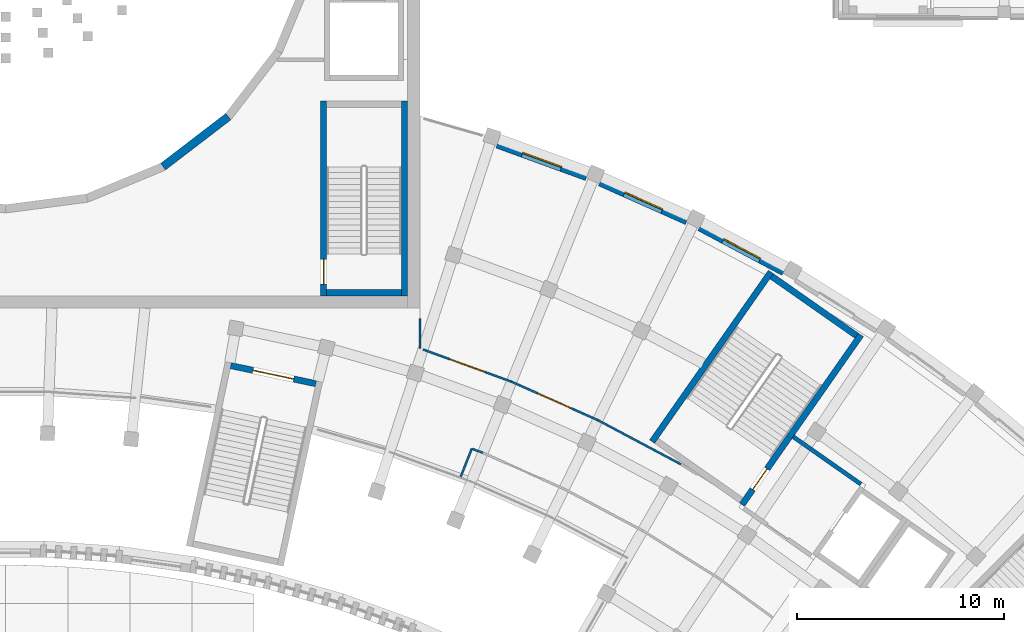
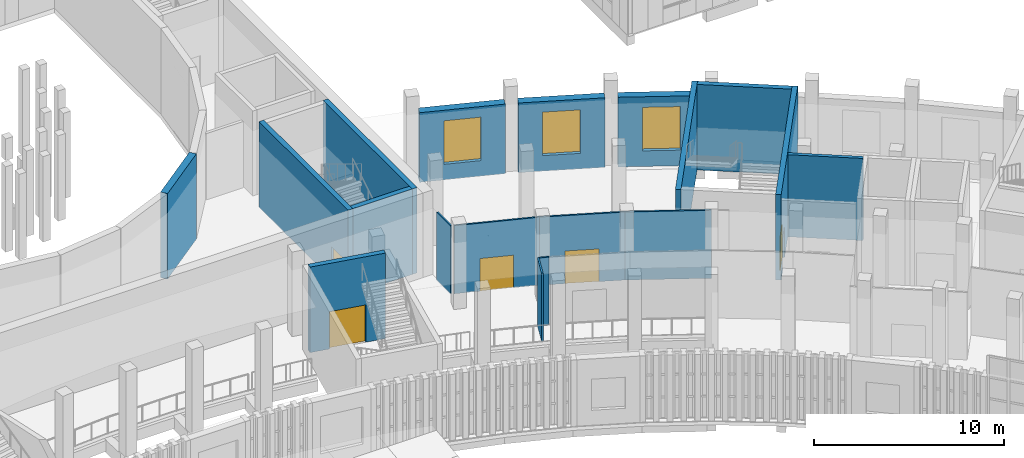
# One storey, part 56 of 112: 18 walls, 5 doors, 3 windows, 8 openings.
"""IFC4 building model written with IfcOpenShell, lengths in metres."""

import ifcopenshell
import ifcopenshell.guid

model = None  # the IFC model being written
_history = None  # IfcOwnerHistory: only IFC2X3 demands one
_inside = {}  # id of a spatial element -> (the spatial element, [elements in it])
_under = {}  # id of a project, library or spatial element -> (it, [spatial elements below it])
_declared = {}  # id of a project -> (the project, [libraries it declares])
_typed = {}  # id of a type object -> (the type object, [elements of that type])
_made_of = {}  # id of a material, layer set ... -> (it, [elements and type objects made of it])


def new_model(schema):
    """Start an empty IFC model of exactly this schema.

    Asked for "IFC4X3", IfcOpenShell would pick the latest addendum, in which some entities
    have other attributes; the version numbers below select the first issue.
    IFC2X3 requires an IfcOwnerHistory on every rooted entity: one is made here for all.
    """
    global model, _history
    if schema == "IFC4X3":
        model = ifcopenshell.file(schema_version=(4, 3, 0, 0))
    else:
        model = ifcopenshell.file(schema=schema)
    _inside.clear()
    _under.clear()
    _declared.clear()
    _typed.clear()
    _made_of.clear()
    _history = None
    if model.schema == "IFC2X3":
        org = make("IfcOrganization", Name="unknown")
        user = make(
            "IfcPersonAndOrganization",
            ThePerson=make("IfcPerson", FamilyName="unknown"),
            TheOrganization=org,
        )
        app = make(
            "IfcApplication",
            ApplicationDeveloper=org,
            Version="unknown",
            ApplicationFullName="unknown",
            ApplicationIdentifier="unknown",
        )
        _history = make(
            "IfcOwnerHistory",
            OwningUser=user,
            OwningApplication=app,
            ChangeAction="ADDED",
            CreationDate=0,
        )
    return model


def make(cls, **values):
    """One entity of the class cls with the attributes given. An attribute that is None is left unset."""
    return model.create_entity(
        cls, **{name: value for name, value in values.items() if value is not None}
    )


def rooted(cls, **values):
    """An entity with a GlobalId (a new one), such as an element, a storey or a relation."""
    return make(cls, GlobalId=ifcopenshell.guid.new(), OwnerHistory=_history, **values)


def si_unit(unit_type, name, prefix=None):
    """IfcSIUnit, for example si_unit("LENGTHUNIT", "METRE", prefix="MILLI")."""
    return make("IfcSIUnit", UnitType=unit_type, Prefix=prefix, Name=name)


def assignment(units):
    """IfcUnitAssignment: the units of a project."""
    return None if units is None else make("IfcUnitAssignment", Units=units)


def point(xyz):
    """IfcCartesianPoint."""
    return None if xyz is None else make("IfcCartesianPoint", Coordinates=xyz)


def direction(xyz):
    """IfcDirection."""
    return None if xyz is None else make("IfcDirection", DirectionRatios=xyz)


def frame(location, z_axis=None, x_axis=None):
    """IfcAxis2Placement3D, a coordinate frame: its origin and axes. An axis left out is left unset."""
    return make(
        "IfcAxis2Placement3D",
        Location=point(location),
        Axis=direction(z_axis),
        RefDirection=direction(x_axis),
    )


def frame_2d(location, x_axis=None):
    """IfcAxis2Placement2D, a coordinate frame in the plane: its origin and x axis."""
    return make(
        "IfcAxis2Placement2D", Location=point(location), RefDirection=direction(x_axis)
    )


def origin():
    """The frame at (0, 0, 0) with its axes left unset."""
    return frame((0.0, 0.0, 0.0))


def place(relative_to, where):
    """IfcLocalPlacement: puts the frame where relative to a parent placement (None: the world)."""
    return make(
        "IfcLocalPlacement", PlacementRelTo=relative_to, RelativePlacement=where
    )


def context(
    kind, dimensions, precision=None, world=None, true_north=None, identifier=None
):
    """IfcGeometricRepresentationContext, for example the 3D "Model" context."""
    return make(
        "IfcGeometricRepresentationContext",
        ContextIdentifier=identifier,
        ContextType=kind,
        CoordinateSpaceDimension=dimensions,
        Precision=precision,
        WorldCoordinateSystem=world,
        TrueNorth=true_north,
    )


def subcontext(parent, identifier, kind, view, scale=None):
    """IfcGeometricRepresentationSubContext, for example "Body" below "Model"."""
    return make(
        "IfcGeometricRepresentationSubContext",
        ContextIdentifier=identifier,
        ContextType=kind,
        ParentContext=parent,
        TargetScale=scale,
        TargetView=view,
    )


def project(units=None, contexts=None):
    """IfcProject with its units and contexts."""
    return rooted(
        "IfcProject",
        Name="project",
        RepresentationContexts=contexts,
        UnitsInContext=assignment(units),
    )


def spatial(cls, under=None, at=None, **own):
    """A site, building, storey or space (cls), placed at a placement, below another one or the project."""
    s = rooted(cls, ObjectPlacement=at, **own)
    if under is not None:
        _under.setdefault(under.id(), (under, []))[1].append(s)
    return s


def profile(cls, at=None, kind="AREA", **sizes):
    """A parametric profile (cls). Its sizes go by their IFC names, for example OverallWidth=200.0."""
    return make(cls, ProfileType=kind, Position=at, **sizes)


def rectangle(**sizes):
    """IfcRectangleProfileDef."""
    return profile("IfcRectangleProfileDef", **sizes)


def extrude(swept, where, along, depth):
    """IfcExtrudedAreaSolid: the profile swept, set in the frame where, extruded along a direction by depth."""
    return make(
        "IfcExtrudedAreaSolid",
        SweptArea=swept,
        Position=where,
        ExtrudedDirection=direction(along),
        Depth=depth,
    )


def shape(context_of_items, identifier, shape_type, items):
    """IfcShapeRepresentation: the items that make up one representation, for example the "Body"."""
    return make(
        "IfcShapeRepresentation",
        ContextOfItems=context_of_items,
        RepresentationIdentifier=identifier,
        RepresentationType=shape_type,
        Items=items,
    )


def material(Name=None, Category=None):
    """IfcMaterial."""
    return make("IfcMaterial", Name=Name, Category=Category)


def layer(
    of_material, thickness, ventilated=None, Name=None, Category=None, Priority=None
):
    """IfcMaterialLayer: one layer of a wall or slab, of a material (None: an air gap)."""
    return make(
        "IfcMaterialLayer",
        Material=of_material,
        LayerThickness=thickness,
        IsVentilated=ventilated,
        Name=Name,
        Category=Category,
        Priority=Priority,
    )


def layer_set(layers, Name=None):
    """IfcMaterialLayerSet."""
    return make("IfcMaterialLayerSet", MaterialLayers=layers, LayerSetName=Name)


def made_of(thing, what):
    """Note that an element or type object is made of a material, layer set ...; save() writes the relation."""
    if what is not None:
        _made_of.setdefault(what.id(), (what, []))[1].append(thing)
    return thing


def type_object(cls, material=None, **own):
    """A type object (cls), such as IfcWallType, which elements share."""
    return made_of(rooted(cls, **own), material)


def element(
    cls,
    number,
    at=None,
    inside=None,
    cuts=None,
    type_object=None,
    material=None,
    context=None,
    identifier="Body",
    shape_type=None,
    held_by="IfcProductDefinitionShape",
    body=None,
    shapes=None,
    **own,
):
    """One element of the class cls, such as IfcWall. Its Tag is "e" and its number.

    at: its placement. inside: the storey or other place that contains it. cuts: it is an
    opening in that element (IfcRelVoidsElement). A single representation is given by context,
    identifier, shape_type and body (its items); several are given by shapes. held_by: the class
    of the entity that holds the representations. save() writes the other relations.
    """
    e = rooted(cls, Tag="e%d" % number, ObjectPlacement=at, **own)
    if body is not None:
        shapes = [shape(context, identifier, shape_type, body)]
    if shapes is not None:
        e.Representation = make(held_by, Representations=shapes)
    if inside is not None:
        _inside.setdefault(inside.id(), (inside, []))[1].append(e)
    if cuts is not None:
        rooted(
            "IfcRelVoidsElement", RelatingBuildingElement=cuts, RelatedOpeningElement=e
        )
    if type_object is not None:
        _typed.setdefault(type_object.id(), (type_object, []))[1].append(e)
    return made_of(e, material)


def fill(opening, filler):
    """IfcRelFillsElement: the door or window that sits in an opening."""
    return rooted(
        "IfcRelFillsElement",
        RelatingOpeningElement=opening,
        RelatedBuildingElement=filler,
    )


def aggregate(whole, parts):
    """IfcRelAggregates: a whole, such as a stair, and the parts it consists of."""
    return rooted("IfcRelAggregates", RelatingObject=whole, RelatedObjects=parts)


def save(model, path):
    """Write the relations noted so far, then the file.

    IfcRelAggregates (storeys below a building ...), IfcRelContainedInSpatialStructure (elements
    in a storey), IfcRelDefinesByType, IfcRelAssociatesMaterial and IfcRelDeclares: one each for
    every whole, place, type object, material and project.
    """
    for whole, parts in _under.values():
        aggregate(whole, parts)
    for where, things in _inside.values():
        rooted(
            "IfcRelContainedInSpatialStructure",
            RelatedElements=things,
            RelatingStructure=where,
        )
    for kind, things in _typed.values():
        rooted("IfcRelDefinesByType", RelatedObjects=things, RelatingType=kind)
    for what, things in _made_of.values():
        rooted("IfcRelAssociatesMaterial", RelatedObjects=things, RelatingMaterial=what)
    for by, libraries in _declared.values():
        rooted("IfcRelDeclares", RelatingContext=by, RelatedDefinitions=libraries)
    model.write(path)


model = new_model("IFC4")

# Units and contexts
model_context = context("Model", 3, precision=1e-05, world=origin(), true_north=direction((0.0, 1.0)))
body_context = subcontext(model_context, "Body", "Model", "MODEL_VIEW")
ifc_project = project(units=[si_unit("LENGTHUNIT", "METRE"), si_unit("AREAUNIT", "SQUARE_METRE"), si_unit("VOLUMEUNIT", "CUBIC_METRE"), si_unit("PLANEANGLEUNIT", "RADIAN"), si_unit("MASSUNIT", "GRAM", prefix="KILO")], contexts=[model_context])

# Site, building, storey
site_placement = place(None, origin())
site = spatial("IfcSite", under=ifc_project, at=site_placement, CompositionType="ELEMENT")
building_placement = place(site_placement, origin())
building = spatial("IfcBuilding", under=site, at=building_placement, Name="Lunette Opera House", CompositionType="ELEMENT")
storey_placement = place(building_placement, frame((0.0, 0.0, 6.0)))
storey = spatial("IfcBuildingStorey", under=building, at=storey_placement, Name="L01", CompositionType="ELEMENT", Elevation=6.0)

# Wall, opening, window
ifc_material_1 = material(Name="Clinker brick", Category="masonry")
ifc_layer_1 = layer(ifc_material_1, 0.449951171875)
ifc_layer_set_1 = layer_set([ifc_layer_1], Name="Clinker brick")
wall_type_1 = type_object("IfcWallType", Name="ARM RAIN SCREEN WALL 450", PredefinedType="SOLIDWALL", material=ifc_layer_set_1)
wall_1_placement = place(storey_placement, frame((119.7451171875, 71.946044921875, 0.0), z_axis=(0.0, 0.0, 1.0), x_axis=(0.939711059344, -0.341969479554, 0.0)))
wall_1 = element("IfcWall", 1, at=wall_1_placement, inside=storey, type_object=wall_type_1, Name="Arm Rain Screen Wall 450 BW-CE01 L01", PredefinedType="SOLIDWALL", context=body_context, shape_type="SweptSolid", body=[
    extrude(rectangle(XDim=4.58837890625, YDim=0.449951171875, at=frame_2d((2.294189453125, 0.0))), origin(), (0.0, 0.0, 1.0), 4.47998046875),
])
opening_1_placement = place(wall_1_placement, frame((1.2939453125, 0.0, 1.0)))
opening_1 = element("IfcOpeningElement", 2, at=opening_1_placement, cuts=wall_1, Name="Opening FC-N2143", PredefinedType="OPENING", context=body_context, shape_type="SweptSolid", body=[
    extrude(rectangle(XDim=2.0, YDim=2.800048828125, at=frame_2d((1.0, 1.39990234375))), frame((0.0, 0.237060546875, 0.0), z_axis=(0.0, -1.0, 0.0), x_axis=(1.0, 0.0, 0.0)), (0.0, 0.0, 1.0), 0.473876953125),
])
ifc_material_2 = material(Name="Aluminium", Category="aluminium")
window_type = type_object("IfcWindowType", Name="ARM WINDOW 2000 X 2800", PartitioningType="DOUBLE_PANEL_VERTICAL", PredefinedType="WINDOW", material=ifc_material_2)
window_1_placement = place(opening_1_placement, origin())
window_1 = element("IfcWindow", 3, at=window_1_placement, inside=storey, type_object=window_type, Name="Arm Window 2000 X 2800 BW-CE01 L01", OverallHeight=2.800048828125, OverallWidth=2.0, PartitioningType="DOUBLE_PANEL_VERTICAL", PredefinedType="WINDOW", context=body_context, shape_type="SweptSolid", body=[
    extrude(rectangle(XDim=2.0, YDim=2.800048828125, at=frame_2d((1.0, 1.39990234375))), frame((0.0, 0.030029296875, 0.0), z_axis=(0.0, -1.0, 0.0), x_axis=(1.0, 0.0, 0.0)), (0.0, 0.0, 1.0), 0.06005859375),
])
fill(opening_1, window_1)

wall_2_placement = place(storey_placement, frame((124.7060546875, 70.114990234375, 0.0), z_axis=(0.0, 0.0, 1.0), x_axis=(0.91349754212, -0.406844246045, 0.0)))
wall_2 = element("IfcWall", 4, at=wall_2_placement, inside=storey, type_object=wall_type_1, Name="Arm Rain Screen Wall 450 BW-CE02 L01", PredefinedType="SOLIDWALL", context=body_context, shape_type="SweptSolid", body=[
    extrude(rectangle(XDim=4.5888671875, YDim=0.449951171875, at=frame_2d((2.29443359375, 0.0))), origin(), (0.0, 0.0, 1.0), 4.47998046875),
])
opening_2_placement = place(wall_2_placement, frame((1.294921875, 0.0, 1.0)))
opening_2 = element("IfcOpeningElement", 5, at=opening_2_placement, cuts=wall_2, Name="Opening FC-N2146", PredefinedType="OPENING", context=body_context, shape_type="SweptSolid", body=[
    extrude(rectangle(XDim=2.0, YDim=2.800048828125, at=frame_2d((1.0, 1.39990234375))), frame((0.0, 0.237060546875, 0.0), z_axis=(0.0, -1.0, 0.0), x_axis=(1.0, 0.0, 0.0)), (0.0, 0.0, 1.0), 0.473876953125),
])
window_2_placement = place(opening_2_placement, origin())
window_2 = element("IfcWindow", 6, at=window_2_placement, inside=storey, type_object=window_type, Name="Arm Window 2000 X 2800 BW-CE02 L01", OverallHeight=2.800048828125, OverallWidth=2.0, PartitioningType="DOUBLE_PANEL_VERTICAL", PredefinedType="WINDOW", context=body_context, shape_type="SweptSolid", body=[
    extrude(rectangle(XDim=2.0, YDim=2.800048828125, at=frame_2d((1.0, 1.39990234375))), frame((0.0, 0.030029296875, 0.0), z_axis=(0.0, -1.0, 0.0), x_axis=(1.0, 0.0, 0.0)), (0.0, 0.0, 1.0), 0.06005859375),
])
fill(opening_2, window_2)

wall_3_placement = place(storey_placement, frame((129.527099609375, 67.94189453125, 0.0), z_axis=(0.0, 0.0, 1.0), x_axis=(0.882920720389, -0.469522099063, 0.0)))
wall_3 = element("IfcWall", 7, at=wall_3_placement, inside=storey, type_object=wall_type_1, Name="Arm Rain Screen Wall 450 BW-CE03 L01", PredefinedType="SOLIDWALL", context=body_context, shape_type="SweptSolid", body=[
    extrude(rectangle(XDim=4.58935546875, YDim=0.449951171875, at=frame_2d((2.294677734375, 0.0))), origin(), (0.0, 0.0, 1.0), 4.47998046875),
])
opening_3_placement = place(wall_3_placement, frame((1.294921875, 0.0, 1.0)))
opening_3 = element("IfcOpeningElement", 8, at=opening_3_placement, cuts=wall_3, Name="Opening FC-N2150", PredefinedType="OPENING", context=body_context, shape_type="SweptSolid", body=[
    extrude(rectangle(XDim=2.0, YDim=2.800048828125, at=frame_2d((1.0, 1.39990234375))), frame((0.0, 0.237060546875, 0.0), z_axis=(0.0, -1.0, 0.0), x_axis=(1.0, 0.0, 0.0)), (0.0, 0.0, 1.0), 0.473876953125),
])
window_3_placement = place(opening_3_placement, origin())
window_3 = element("IfcWindow", 9, at=window_3_placement, inside=storey, type_object=window_type, Name="Arm Window 2000 X 2800 BW-CE03 L01", OverallHeight=2.800048828125, OverallWidth=2.0, PartitioningType="DOUBLE_PANEL_VERTICAL", PredefinedType="WINDOW", context=body_context, shape_type="SweptSolid", body=[
    extrude(rectangle(XDim=2.0, YDim=2.800048828125, at=frame_2d((1.0, 1.39990234375))), frame((0.0, 0.030029296875, 0.0), z_axis=(0.0, -1.0, 0.0), x_axis=(1.0, 0.0, 0.0)), (0.0, 0.0, 1.0), 0.06005859375),
])
fill(opening_3, window_3)

# Wall
ifc_material_3 = material(Name="Concrete C35/45", Category="concrete")
ifc_layer_2 = layer(ifc_material_3, 0.199951171875)
ifc_layer_set_2 = layer_set([ifc_layer_2], Name="Concrete C35/45")
wall_type_2 = type_object("IfcWallType", Name="LOBBY WALL 200", PredefinedType="PARTITIONING", material=ifc_layer_set_2)
wall_4_placement = place(storey_placement, frame((137.284912109375, 55.508056640625, 0.0), z_axis=(0.0, 0.0, 1.0), x_axis=(-0.819125561737, 0.573614255497, 0.0)))
element("IfcWall", 10, at=wall_4_placement, inside=storey, type_object=wall_type_2, Name="FL1 lobby wall 3a", PredefinedType="PARTITIONING", context=body_context, shape_type="SweptSolid", body=[
    extrude(rectangle(XDim=3.990478515625, YDim=0.199951171875, at=frame_2d((1.9951171875, 0.0))), origin(), (0.0, 0.0, 1.0), 5.280029296875),
])

# Wall, opening, door
ifc_material_4 = material(Name="Concrete C35/45", Category="concrete")
ifc_layer_3 = layer(ifc_material_4, 0.300048828125)
ifc_layer_set_3 = layer_set([ifc_layer_3], Name="Concrete C35/45")
wall_type_3 = type_object("IfcWallType", Name="RC STAIR ENCLOSURE WALL 300", PredefinedType="SOLIDWALL", material=ifc_layer_set_3)
wall_5_placement = place(storey_placement, frame((110.97509765625, 60.35595703125, 0.0), z_axis=(0.0, 0.0, 1.0), x_axis=(-0.978155748334, 0.207873355681, 0.0)))
wall_5 = element("IfcWall", 11, at=wall_5_placement, inside=storey, type_object=wall_type_3, Name="GS2 enclosure wall 3", PredefinedType="SOLIDWALL", context=body_context, shape_type="SweptSolid", body=[
    extrude(rectangle(XDim=4.199951171875, YDim=0.300048828125, at=frame_2d((2.10009765625, 0.0))), origin(), (0.0, 0.0, 1.0), 5.5),
])
opening_4_placement = place(wall_5_placement, frame((1.10009765625, 0.0, 0.0)))
opening_4 = element("IfcOpeningElement", 12, at=opening_4_placement, cuts=wall_5, Name="Opening FC-D7005", PredefinedType="OPENING", context=body_context, shape_type="SweptSolid", body=[
    extrude(rectangle(XDim=2.0, YDim=2.39990234375, at=frame_2d((1.0, 1.199951171875))), frame((0.0, 0.162109375, 0.0), z_axis=(0.0, -1.0, 0.0), x_axis=(1.0, 0.0, 0.0)), (0.0, 0.0, 1.0), 0.323974609375),
])
ifc_material_5 = material(Name="Glass", Category="glass")
door_type_1 = type_object("IfcDoorType", Name="GRAND STAIR DOOR 2000 X 2400", OperationType="DOUBLE_DOOR_SINGLE_SWING", PredefinedType="DOOR", material=ifc_material_5)
door_1_placement = place(opening_4_placement, origin())
door_1 = element("IfcDoor", 13, at=door_1_placement, inside=storey, type_object=door_type_1, Name="GS2 stair door", OperationType="DOUBLE_DOOR_SINGLE_SWING", OverallHeight=2.39990234375, OverallWidth=2.0, PredefinedType="DOOR", context=body_context, shape_type="SweptSolid", body=[
    extrude(rectangle(XDim=2.0, YDim=2.39990234375, at=frame_2d((1.0, 1.199951171875))), frame((0.0, 0.02490234375, 0.0), z_axis=(0.0, -1.0, 0.0), x_axis=(1.0, 0.0, 0.0)), (0.0, 0.0, 1.0), 0.050048828125),
])
fill(opening_4, door_1)

wall_6_placement = place(storey_placement, frame((131.550048828125, 54.51904296875, 0.0), z_axis=(0.0, 0.0, 1.0), x_axis=(0.573563925118, 0.819160804606, 0.0)))
wall_6 = element("IfcWall", 14, at=wall_6_placement, inside=storey, type_object=wall_type_3, Name="ST3 enclosure wall 2", PredefinedType="SOLIDWALL", context=body_context, shape_type="SweptSolid", body=[
    extrude(rectangle(XDim=10.000244140625, YDim=0.300048828125, at=frame_2d((5.0, 0.0))), origin(), (0.0, 0.0, 1.0), 5.5),
])
opening_5_placement = place(wall_6_placement, frame((0.89990234375, 0.0, 0.0)))
opening_5 = element("IfcOpeningElement", 15, at=opening_5_placement, cuts=wall_6, Name="Opening FC-D7021", PredefinedType="OPENING", context=body_context, shape_type="SweptSolid", body=[
    extrude(rectangle(XDim=1.199951171875, YDim=2.10009765625, at=frame_2d((0.60009765625, 1.050048828125))), frame((0.0, 0.162109375, 0.0), z_axis=(0.0, -1.0, 0.0), x_axis=(1.0, 0.0, 0.0)), (0.0, 0.0, 1.0), 0.323974609375),
])
ifc_material_6 = material(Name="Steel", Category="steel")
door_type_2 = type_object("IfcDoorType", Name="FIRE DOOR 1200 X 2100", OperationType="SINGLE_SWING_LEFT", PredefinedType="DOOR", material=ifc_material_6)
door_2_placement = place(opening_5_placement, origin())
door_2 = element("IfcDoor", 16, at=door_2_placement, inside=storey, type_object=door_type_2, Name="ST3 stair door", OperationType="SINGLE_SWING_LEFT", OverallHeight=2.10009765625, OverallWidth=1.199951171875, PredefinedType="DOOR", context=body_context, shape_type="SweptSolid", body=[
    extrude(rectangle(XDim=1.199951171875, YDim=2.10009765625, at=frame_2d((0.60009765625, 1.050048828125))), frame((0.0, 0.02490234375, 0.0), z_axis=(0.0, -1.0, 0.0), x_axis=(1.0, 0.0, 0.0)), (0.0, 0.0, 1.0), 0.050048828125),
])
fill(opening_5, door_2)

# Walls
wall_7_placement = place(storey_placement, frame((137.076904296875, 62.674072265625, 0.0), z_axis=(0.0, 0.0, 1.0), x_axis=(-0.819160804606, 0.573563925118, 0.0)))
element("IfcWall", 17, at=wall_7_placement, inside=storey, type_object=wall_type_3, Name="ST3 enclosure wall 3", PredefinedType="SOLIDWALL", context=body_context, shape_type="SweptSolid", body=[
    extrude(rectangle(XDim=5.000244140625, YDim=0.300048828125, at=frame_2d((2.5, 0.0))), origin(), (0.0, 0.0, 1.0), 5.5),
])
wall_8_placement = place(storey_placement, frame((132.944091796875, 65.7509765625, 0.0), z_axis=(0.0, 0.0, 1.0), x_axis=(-0.573514776444, -0.819195215563, 0.0)))
element("IfcWall", 18, at=wall_8_placement, inside=storey, type_object=wall_type_3, Name="ST3 enclosure wall 4", PredefinedType="SOLIDWALL", context=body_context, shape_type="SweptSolid", body=[
    extrude(rectangle(XDim=10.0, YDim=0.300048828125, at=frame_2d((5.0, 0.0))), origin(), (0.0, 0.0, 1.0), 5.5),
])
wall_9_placement = place(storey_placement, frame((115.25, 64.60009765625, 0.0), z_axis=(0.0, 0.0, 1.0), x_axis=(0.0, 1.0, 0.0)))
element("IfcWall", 19, at=wall_9_placement, inside=storey, type_object=wall_type_3, Name="ST8 enclosure wall 1", PredefinedType="SOLIDWALL", context=body_context, shape_type="SweptSolid", body=[
    extrude(rectangle(XDim=9.39990234375, YDim=0.300048828125, at=frame_2d((4.699951171875, 0.0))), origin(), (0.0, 0.0, 1.0), 5.5),
])

# Wall, opening, door
wall_10_placement = place(storey_placement, frame((111.35009765625, 74.0, 0.0), z_axis=(0.0, 0.0, 1.0), x_axis=(0.0, -1.0, 0.0)))
wall_10 = element("IfcWall", 20, at=wall_10_placement, inside=storey, type_object=wall_type_3, Name="ST8 enclosure wall 3", PredefinedType="SOLIDWALL", context=body_context, shape_type="SweptSolid", body=[
    extrude(rectangle(XDim=9.39990234375, YDim=0.300048828125, at=frame_2d((4.699951171875, 0.0))), origin(), (0.0, 0.0, 1.0), 5.5),
])
opening_6_placement = place(wall_10_placement, frame((7.639892578125, 0.0, 0.0)))
opening_6 = element("IfcOpeningElement", 21, at=opening_6_placement, cuts=wall_10, Name="Opening AU-D7015", PredefinedType="OPENING", context=body_context, shape_type="SweptSolid", body=[
    extrude(rectangle(XDim=1.199951171875, YDim=2.10009765625, at=frame_2d((0.60009765625, 1.050048828125))), frame((0.0, 0.162109375, 0.0), z_axis=(0.0, -1.0, 0.0), x_axis=(1.0, 0.0, 0.0)), (0.0, 0.0, 1.0), 0.323974609375),
])
door_3_placement = place(opening_6_placement, origin())
door_3 = element("IfcDoor", 22, at=door_3_placement, inside=storey, type_object=door_type_2, Name="ST8 stair door", OperationType="SINGLE_SWING_LEFT", OverallHeight=2.10009765625, OverallWidth=1.199951171875, PredefinedType="DOOR", context=body_context, shape_type="SweptSolid", body=[
    extrude(rectangle(XDim=1.199951171875, YDim=2.10009765625, at=frame_2d((0.60009765625, 1.050048828125))), frame((0.0, 0.02490234375, 0.0), z_axis=(0.0, -1.0, 0.0), x_axis=(1.0, 0.0, 0.0)), (0.0, 0.0, 1.0), 0.050048828125),
])
fill(opening_6, door_3)

# Walls
wall_11_placement = place(storey_placement, frame((111.5, 64.75, 0.0), z_axis=(0.0, 0.0, 1.0), x_axis=(1.0, 0.0, 0.0)))
element("IfcWall", 23, at=wall_11_placement, inside=storey, type_object=wall_type_3, Name="ST8 enclosure wall 4", PredefinedType="SOLIDWALL", context=body_context, shape_type="SweptSolid", body=[
    extrude(rectangle(XDim=3.60009765625, YDim=0.300048828125, at=frame_2d((1.800048828125, 0.0))), origin(), (0.0, 0.0, 1.0), 5.5),
])
ifc_material_7 = material(Name="Concrete C35/45", Category="concrete")
ifc_layer_4 = layer(ifc_material_7, 0.39990234375)
ifc_layer_set_4 = layer_set([ifc_layer_4], Name="Concrete C35/45")
wall_type_4 = type_object("IfcWallType", Name="RC WALL 400", PredefinedType="SHEAR", material=ifc_layer_set_4)
wall_12_placement = place(storey_placement, frame((103.60107421875, 70.8349609375, 0.0), z_axis=(0.0, 0.0, 1.0), x_axis=(0.793501388766, 0.608568439888, 0.0)))
element("IfcWall", 24, at=wall_12_placement, inside=storey, type_object=wall_type_4, Name="wall-AU-L01-HW10", PredefinedType="SHEAR", context=body_context, shape_type="SweptSolid", body=[
    extrude(rectangle(XDim=3.968505859375, YDim=0.39990234375, at=frame_2d((1.984375, 0.0))), origin(), (0.0, 0.0, 1.0), 5.5),
])

# Wall, opening, door
ifc_material_8 = material(Name="Gypsum board on steel studs", Category="steel")
ifc_layer_5 = layer(ifc_material_8, 0.10009765625)
ifc_layer_set_5 = layer_set([ifc_layer_5], Name="Gypsum board on steel studs")
wall_type_5 = type_object("IfcWallType", Name="STUD PARTITION 100", PredefinedType="PARTITIONING", material=ifc_layer_set_5)
wall_13_placement = place(storey_placement, frame((124.58203125, 58.60107421875, 0.0), z_axis=(0.0, 0.0, 1.0), x_axis=(-0.91357913429, 0.406660995658, 0.0)))
wall_13 = element("IfcWall", 25, at=wall_13_placement, inside=storey, type_object=wall_type_5, Name="Partition Promenade Foyer L01", PredefinedType="PARTITIONING", context=body_context, shape_type="SweptSolid", body=[
    extrude(rectangle(XDim=4.55126953125, YDim=0.10009765625, at=frame_2d((2.275634765625, 0.0))), origin(), (0.0, 0.0, 1.0), 4.3798828125),
])
opening_7_placement = place(wall_13_placement, frame((1.3759765625, 0.0, 0.0)))
opening_7 = element("IfcOpeningElement", 26, at=opening_7_placement, cuts=wall_13, Name="Opening FC-D3026", PredefinedType="OPENING", context=body_context, shape_type="SweptSolid", body=[
    extrude(rectangle(XDim=1.800048828125, YDim=2.10009765625, at=frame_2d((0.89990234375, 1.050048828125))), frame((0.0, 0.06201171875, 0.0), z_axis=(0.0, -1.0, 0.0), x_axis=(1.0, 0.0, 0.0)), (0.0, 0.0, 1.0), 0.1240234375),
])
ifc_material_9 = material(Name="Timber", Category="wood")
door_type_3 = type_object("IfcDoorType", Name="DOUBLE FLUSH DOOR 1800 X 2100", OperationType="DOUBLE_DOOR_SINGLE_SWING", PredefinedType="DOOR", material=ifc_material_9)
door_4_placement = place(opening_7_placement, origin())
door_4 = element("IfcDoor", 27, at=door_4_placement, inside=storey, type_object=door_type_3, Name="Education Studio door", OperationType="DOUBLE_DOOR_SINGLE_SWING", OverallHeight=2.10009765625, OverallWidth=1.800048828125, PredefinedType="DOOR", context=body_context, shape_type="SweptSolid", body=[
    extrude(rectangle(XDim=1.800048828125, YDim=2.10009765625, at=frame_2d((0.89990234375, 1.050048828125))), frame((0.0, 0.02490234375, 0.0), z_axis=(0.0, -1.0, 0.0), x_axis=(1.0, 0.0, 0.0)), (0.0, 0.0, 1.0), 0.050048828125),
])
fill(opening_7, door_4)

wall_14_placement = place(storey_placement, frame((120.424072265625, 60.451904296875, 0.0), z_axis=(0.0, 0.0, 1.0), x_axis=(-0.939639825715, 0.342165161771, 0.0)))
wall_14 = element("IfcWall", 28, at=wall_14_placement, inside=storey, type_object=wall_type_5, Name="Partition Promenade Foyer L01", PredefinedType="PARTITIONING", context=body_context, shape_type="SweptSolid", body=[
    extrude(rectangle(XDim=4.55078125, YDim=0.10009765625, at=frame_2d((2.275390625, 0.0))), origin(), (0.0, 0.0, 1.0), 4.3798828125),
])
opening_8_placement = place(wall_14_placement, frame((1.375, 0.0, 0.0)))
opening_8 = element("IfcOpeningElement", 29, at=opening_8_placement, cuts=wall_14, Name="Opening FC-D3027", PredefinedType="OPENING", context=body_context, shape_type="SweptSolid", body=[
    extrude(rectangle(XDim=1.800048828125, YDim=2.10009765625, at=frame_2d((0.89990234375, 1.050048828125))), frame((0.0, 0.06201171875, 0.0), z_axis=(0.0, -1.0, 0.0), x_axis=(1.0, 0.0, 0.0)), (0.0, 0.0, 1.0), 0.1240234375),
])
door_5_placement = place(opening_8_placement, origin())
door_5 = element("IfcDoor", 30, at=door_5_placement, inside=storey, type_object=door_type_3, Name="Education Studio door", OperationType="DOUBLE_DOOR_SINGLE_SWING", OverallHeight=2.10009765625, OverallWidth=1.800048828125, PredefinedType="DOOR", context=body_context, shape_type="SweptSolid", body=[
    extrude(rectangle(XDim=1.800048828125, YDim=2.10009765625, at=frame_2d((0.89990234375, 1.050048828125))), frame((0.0, 0.02490234375, 0.0), z_axis=(0.0, -1.0, 0.0), x_axis=(1.0, 0.0, 0.0)), (0.0, 0.0, 1.0), 0.050048828125),
])
fill(opening_8, door_5)

# Walls
wall_15_placement = place(storey_placement, frame((128.60009765625, 56.465087890625, 0.0), z_axis=(0.0, 0.0, 1.0), x_axis=(-0.882989262106, 0.469393185938, 0.0)))
element("IfcWall", 31, at=wall_15_placement, inside=storey, type_object=wall_type_5, Name="Partition Promenade Foyer L01", PredefinedType="PARTITIONING", context=body_context, shape_type="SweptSolid", body=[
    extrude(rectangle(XDim=4.550537109375, YDim=0.10009765625, at=frame_2d((2.275390625, 0.0))), origin(), (0.0, 0.0, 1.0), 4.3798828125),
])
wall_16_placement = place(storey_placement, frame((116.0, 62.051025390625, 0.0), z_axis=(0.0, 0.0, 1.0), x_axis=(0.0, 1.0, 0.0)))
element("IfcWall", 32, at=wall_16_placement, inside=storey, type_object=wall_type_5, Name="Partition Promenade Foyer L01", PredefinedType="PARTITIONING", context=body_context, shape_type="SweptSolid", body=[
    extrude(rectangle(XDim=1.448974609375, YDim=0.10009765625, at=frame_2d((0.724609375, 0.0))), origin(), (0.0, 0.0, 1.0), 4.3798828125),
])
wall_17_placement = place(storey_placement, frame((117.969970703125, 55.867919921875, 0.0), z_axis=(0.0, 0.0, 1.0), x_axis=(0.366246218309, 0.930517978104, 0.0)))
element("IfcWall", 33, at=wall_17_placement, inside=storey, type_object=wall_type_5, Name="Partition Promenade Foyer L01", PredefinedType="PARTITIONING", context=body_context, shape_type="SweptSolid", body=[
    extrude(rectangle(XDim=1.449951171875, YDim=0.10009765625, at=frame_2d((0.72509765625, 0.0))), origin(), (0.0, 0.0, 1.0), 4.3798828125),
])
wall_18_placement = place(storey_placement, frame((118.51904296875, 57.2109375, 0.0), z_axis=(0.0, 0.0, 1.0), x_axis=(0.939664309192, -0.342097918775, 0.0)))
element("IfcWall", 34, at=wall_18_placement, inside=storey, type_object=wall_type_5, Name="Partition Promenade Foyer L01", PredefinedType="PARTITIONING", context=body_context, shape_type="SweptSolid", body=[
    extrude(rectangle(XDim=0.552490234375, YDim=0.10009765625, at=frame_2d((0.2763671875, 0.0))), origin(), (0.0, 0.0, 1.0), 4.3798828125),
])

save(model, "model.ifc")
